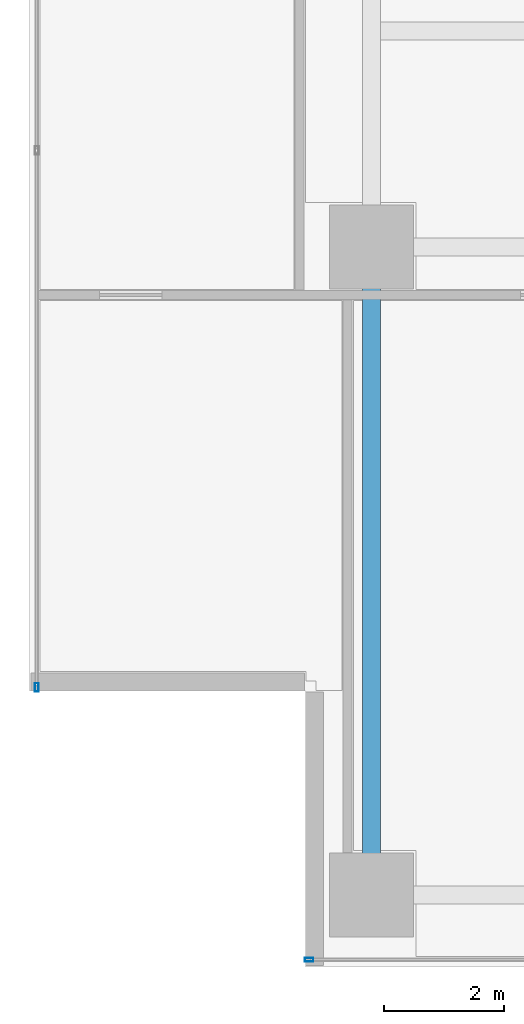
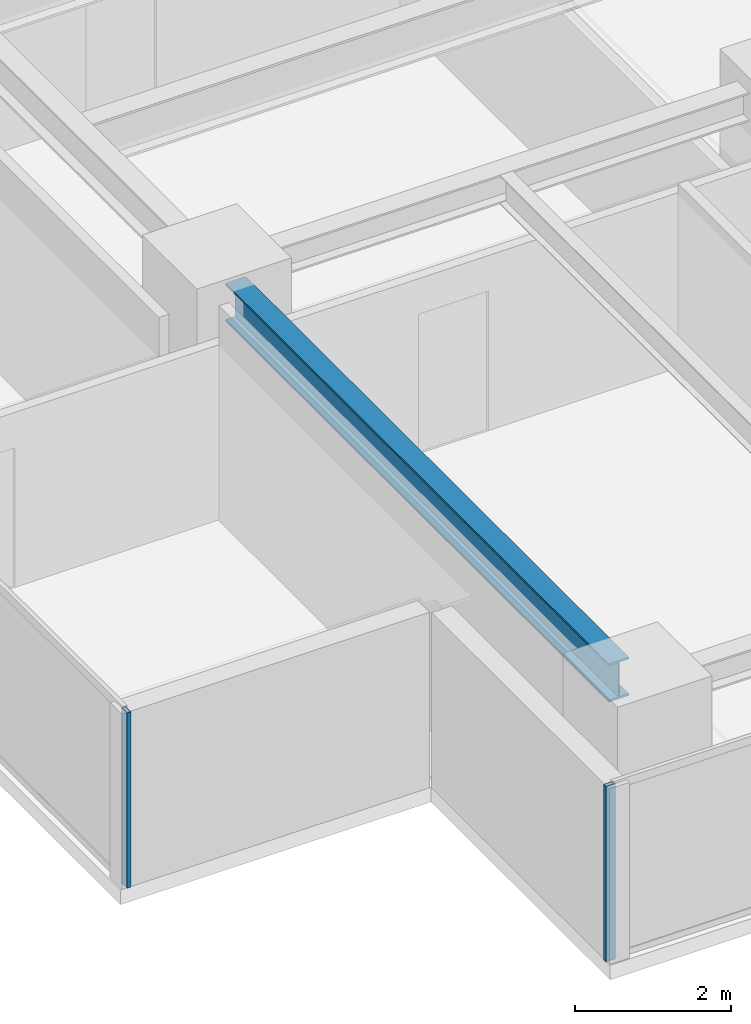
# One storey, part 2 of 26: 2 members, 1 beam, 2 elements without a shape of their own.
"""IFC4 building model written with IfcOpenShell, lengths in metres."""

from ifc_helpers import new_model, si_unit, direction, frame, origin, origin_2d, place, context, subcontext, project, spatial, hollow_rectangle, i_section, extrude, source, transform, mapped, material, layer, layer_set, material_profile, profile_set, type_object, element, aggregate, save


model = new_model("IFC4")

# Units and contexts
model_context = context("Model", 3, precision=1e-05, world=origin(), true_north=direction((0.0, 1.0)))
body_context = subcontext(model_context, "Body", "Model", "MODEL_VIEW")
ifc_project = project(units=[si_unit("LENGTHUNIT", "METRE"), si_unit("AREAUNIT", "SQUARE_METRE"), si_unit("VOLUMEUNIT", "CUBIC_METRE"), si_unit("PLANEANGLEUNIT", "RADIAN"), si_unit("MASSUNIT", "GRAM", prefix="KILO")], contexts=[model_context])

# Site, building, storey
site_placement = place(None, origin())
site = spatial("IfcSite", under=ifc_project, at=site_placement, CompositionType="ELEMENT")
building_placement = place(site_placement, origin())
building = spatial("IfcBuilding", under=site, at=building_placement, Name="Sumidabori Civic Tower", CompositionType="ELEMENT")
storey_placement = place(building_placement, frame((0.0, 0.0, 250.39990234375)))
storey = spatial("IfcBuildingStorey", under=building, at=storey_placement, Name="L65", CompositionType="ELEMENT", Elevation=250.39990234375)

# Beam
ifc_material_1 = material(Name="Steel SN490", Category="steel")
ifc_material_profile_1 = material_profile(ifc_material_1, i_section(OverallWidth=0.300048828125, OverallDepth=0.60009765625, WebThickness=0.015380859375, FlangeThickness=0.030029296875, at=origin_2d()), Name="HE 600 B")
ifc_profile_set_1 = profile_set([ifc_material_profile_1], Name="Steel SN490")
beam_type = type_object("IfcBeamType", Name="BM-GIRD-600", PredefinedType="BEAM", material=ifc_profile_set_1)
shared_shape_1 = source(origin(), body_context, "Body", "SweptSolid", [
    extrude(i_section(OverallWidth=0.300048828125, OverallDepth=0.60009765625, WebThickness=0.015380859375, FlangeThickness=0.030029296875, at=origin_2d()), origin(), (0.0, 0.0, 1.0), 9.840087890625),
])
beam_placement = place(storey_placement, frame((-16.800048828125, -10.320068359375, 3.070068359375), z_axis=(0.0, 1.0, 0.0), x_axis=(-1.0, 0.0, 0.0)))
element("IfcBeam", 1, at=beam_placement, inside=storey, type_object=beam_type, Name="Primary Girder L65 GY-09", PredefinedType="BEAM", context=body_context, shape_type="MappedRepresentation", body=[
    mapped(shared_shape_1, transform((0.0, 0.0, 0.0), x_axis=(1.0, 0.0, 0.0), y_axis=(0.0, 1.0, 0.0), z_axis=(0.0, 0.0, 1.0), scale=1.0)),
])

# Curtain wall, member
ifc_material_2 = material(Name="Anodised Bronze Aluminium AW-6063-T6", Category="aluminium")
ifc_layer = layer(ifc_material_2, 0.179931640625, Name="Anodised Bronze Aluminium AW-6063-T6")
ifc_layer_set = layer_set([ifc_layer], Name="Anodised Bronze Aluminium AW-6063-T6")
curtain_wall_type = type_object("IfcCurtainWallType", Name="CW-SYS-5", PredefinedType="NOTDEFINED", material=ifc_layer_set)
curtain_wall_1_placement = place(storey_placement, origin())
curtain_wall_1 = element("IfcCurtainWall", 2, at=curtain_wall_1_placement, inside=storey, type_object=curtain_wall_type, Name="Curtain Wall CW:L65:R01", PredefinedType="NOTDEFINED")
ifc_material_profile_2 = material_profile(ifc_material_2, hollow_rectangle(XDim=0.06005859375, YDim=0.139892578125, WallThickness=0.0048828125, at=origin_2d()), Name="ALU MULLION 140x60")
ifc_profile_set_2 = profile_set([ifc_material_profile_2], Name="Anodised Bronze Aluminium AW-6063-T6")
member_type = type_object("IfcMemberType", Name="CW-MUL-140", PredefinedType="MULLION", material=ifc_profile_set_2)
shared_shape_2 = source(origin(), body_context, "Body", "SweptSolid", [
    extrude(hollow_rectangle(XDim=0.06005859375, YDim=0.139892578125, WallThickness=0.0048828125, at=origin_2d()), origin(), (0.0, 0.0, 1.0), 2.75),
])
member_1_placement = place(storey_placement, frame((-17.840087890625, -11.8798828125, 0.0), z_axis=(0.0, 0.0, 1.0), x_axis=(0.0, 1.0, 0.0)))
member_1 = element("IfcMember", 3, at=member_1_placement, type_object=member_type, Name="CW-5 mullion 1", PredefinedType="MULLION", context=body_context, shape_type="MappedRepresentation", body=[
    mapped(shared_shape_2, transform((0.0, 0.0, 0.0), x_axis=(1.0, 0.0, 0.0), y_axis=(0.0, 1.0, 0.0), z_axis=(0.0, 0.0, 1.0), scale=1.0)),
])
aggregate(curtain_wall_1, [member_1])

curtain_wall_2_placement = place(storey_placement, origin())
curtain_wall_2 = element("IfcCurtainWall", 4, at=curtain_wall_2_placement, inside=storey, type_object=curtain_wall_type, Name="Curtain Wall CW:L65:R10", PredefinedType="NOTDEFINED")
member_2_placement = place(storey_placement, frame((-22.3798828125, -7.340087890625, 0.0), z_axis=(0.0, 0.0, 1.0), x_axis=(1.0, 0.0, 0.0)))
member_2 = element("IfcMember", 5, at=member_2_placement, type_object=member_type, Name="CW-5 mullion 4", PredefinedType="MULLION", context=body_context, shape_type="MappedRepresentation", body=[
    mapped(shared_shape_2, transform((0.0, 0.0, 0.0), x_axis=(1.0, 0.0, 0.0), y_axis=(0.0, 1.0, 0.0), z_axis=(0.0, 0.0, 1.0), scale=1.0)),
])
aggregate(curtain_wall_2, [member_2])

save(model, "model.ifc")
